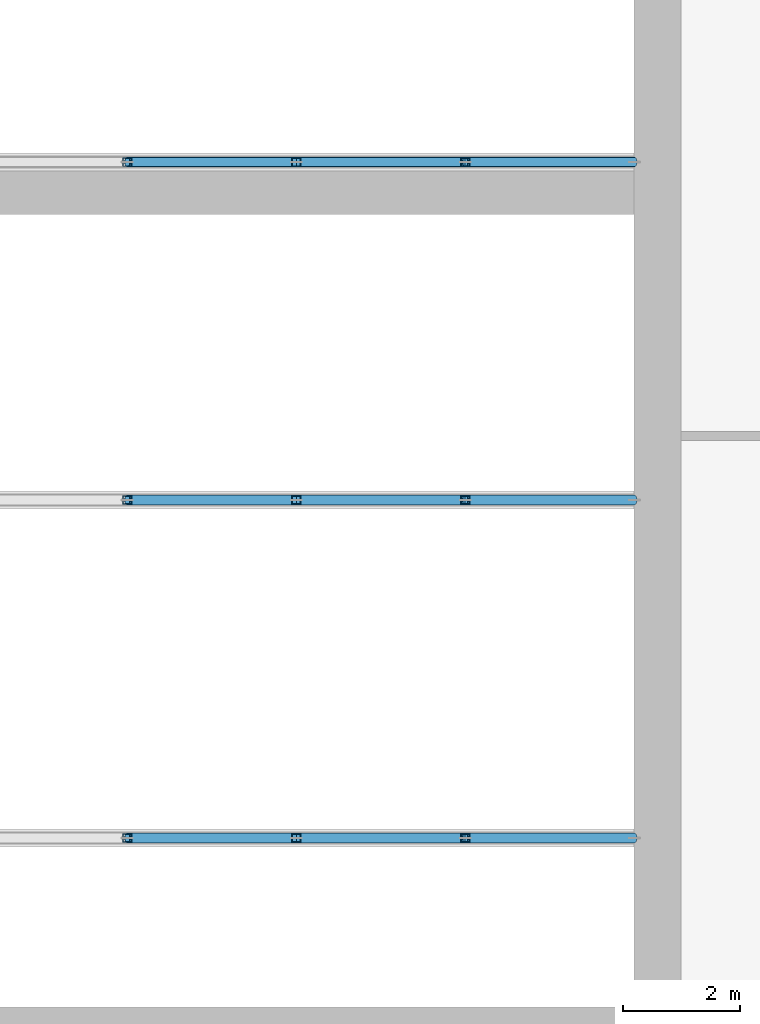
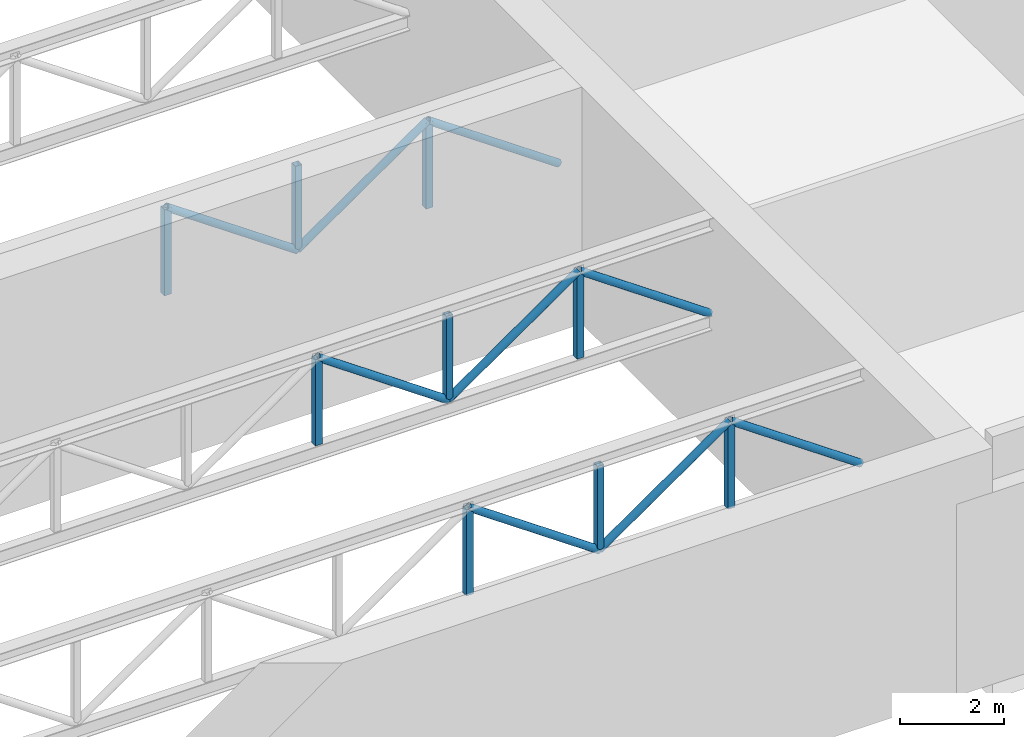
# One storey, part 5 of 35: 18 members.
"""IFC4 building model written with IfcOpenShell, lengths in metres."""

from ifc_helpers import new_model, si_unit, direction, frame, origin, origin_2d, place, context, subcontext, project, spatial, hollow_rectangle, hollow_circle, extrude, material, material_profile, profile_set, type_object, element, save


model = new_model("IFC4")

# Units and contexts
model_context = context("Model", 3, precision=1e-05, world=origin(), true_north=direction((0.0, 1.0)))
body_context = subcontext(model_context, "Body", "Model", "MODEL_VIEW")
ifc_project = project(units=[si_unit("LENGTHUNIT", "METRE"), si_unit("AREAUNIT", "SQUARE_METRE"), si_unit("VOLUMEUNIT", "CUBIC_METRE"), si_unit("PLANEANGLEUNIT", "RADIAN"), si_unit("MASSUNIT", "GRAM", prefix="KILO")], contexts=[model_context])

# Site, building, storey
site_placement = place(None, origin())
site = spatial("IfcSite", under=ifc_project, at=site_placement, CompositionType="ELEMENT")
building_placement = place(site_placement, origin())
building = spatial("IfcBuilding", under=site, at=building_placement, Name="Kiln Ring Residences", CompositionType="ELEMENT")
storey_placement = place(building_placement, frame((0.0, 0.0, 20.89990234375)))
storey = spatial("IfcBuildingStorey", under=building, at=storey_placement, Name="L04", CompositionType="ELEMENT", Elevation=20.89990234375)

# Members
ifc_material_1 = material(Name="Structural steel ASTM A500 Gr. C", Category="steel")
ifc_material_profile_1 = material_profile(ifc_material_1, hollow_circle(Radius=0.084228515625, WallThickness=0.007080078125, at=origin_2d()), Name="HSS168x7.1")
ifc_profile_set_1 = profile_set([ifc_material_profile_1], Name="Structural steel ASTM A500 Gr. C")
member_type_1 = type_object("IfcMemberType", Name="Hall roof truss diagonal HSS168x7.1", PredefinedType="BRACE", material=ifc_profile_set_1)
member_1_placement = place(storey_placement, frame((2.89990234375, -156.300048828125, 5.2421875), z_axis=(0.820958725483, 0.0, -0.570987540192), x_axis=(0.0, 1.0, 0.0)))
element("IfcMember", 1, at=member_1_placement, inside=storey, type_object=member_type_1, Name="Hall truss 1 diagonal 6", PredefinedType="BRACE", context=body_context, shape_type="SweptSolid", body=[
    extrude(hollow_circle(Radius=0.084228515625, WallThickness=0.007080078125, at=origin_2d()), origin(), (0.0, 0.0, 1.0), 3.53271484375),
])
member_2_placement = place(storey_placement, frame((5.800048828125, -156.300048828125, 3.22509765625), z_axis=(0.820936191826, 0.0, 0.571019937436), x_axis=(0.0, 1.0, 0.0)))
element("IfcMember", 2, at=member_2_placement, inside=storey, type_object=member_type_1, Name="Hall truss 1 diagonal 7", PredefinedType="BRACE", context=body_context, shape_type="SweptSolid", body=[
    extrude(hollow_circle(Radius=0.084228515625, WallThickness=0.007080078125, at=origin_2d()), origin(), (0.0, 0.0, 1.0), 3.532470703125),
])
for number, where, z_axis, x_axis, name in (
    (3, (8.699951171875, -156.300048828125, 5.2421875), (0.820958725483, 0.0, -0.570987540192), (0.0, 1.0, 0.0), "Hall truss 1 diagonal 8"),
    (4, (2.89990234375, -150.5, 5.2421875), (0.820958725483, 0.0, -0.570987540192), (0.0, 1.0, 0.0), "Hall truss 2 diagonal 6"),
):
    element("IfcMember", number, at=place(storey_placement, frame(where, z_axis=z_axis, x_axis=x_axis)), inside=storey, type_object=member_type_1, Name=name, PredefinedType="BRACE", context=body_context, shape_type="SweptSolid", body=[
        extrude(hollow_circle(Radius=0.084228515625, WallThickness=0.007080078125, at=origin_2d()), origin(), (0.0, 0.0, 1.0), 3.53271484375),
    ])
member_3_placement = place(storey_placement, frame((5.800048828125, -150.5, 3.22509765625), z_axis=(0.820936191826, 0.0, 0.571019937436), x_axis=(0.0, 1.0, 0.0)))
element("IfcMember", 5, at=member_3_placement, inside=storey, type_object=member_type_1, Name="Hall truss 2 diagonal 7", PredefinedType="BRACE", context=body_context, shape_type="SweptSolid", body=[
    extrude(hollow_circle(Radius=0.084228515625, WallThickness=0.007080078125, at=origin_2d()), origin(), (0.0, 0.0, 1.0), 3.532470703125),
])
for number, where, z_axis, x_axis, name in (
    (6, (8.699951171875, -150.5, 5.2421875), (0.820958725483, 0.0, -0.570987540192), (0.0, 1.0, 0.0), "Hall truss 2 diagonal 8"),
    (7, (2.89990234375, -144.699951171875, 5.2421875), (0.820958725483, 0.0, -0.570987540192), (0.0, 1.0, 0.0), "Hall truss 3 diagonal 6"),
):
    element("IfcMember", number, at=place(storey_placement, frame(where, z_axis=z_axis, x_axis=x_axis)), inside=storey, type_object=member_type_1, Name=name, PredefinedType="BRACE", context=body_context, shape_type="SweptSolid", body=[
        extrude(hollow_circle(Radius=0.084228515625, WallThickness=0.007080078125, at=origin_2d()), origin(), (0.0, 0.0, 1.0), 3.53271484375),
    ])
member_4_placement = place(storey_placement, frame((5.800048828125, -144.699951171875, 3.22509765625), z_axis=(0.820936191826, 0.0, 0.571019937436), x_axis=(0.0, 1.0, 0.0)))
element("IfcMember", 8, at=member_4_placement, inside=storey, type_object=member_type_1, Name="Hall truss 3 diagonal 7", PredefinedType="BRACE", context=body_context, shape_type="SweptSolid", body=[
    extrude(hollow_circle(Radius=0.084228515625, WallThickness=0.007080078125, at=origin_2d()), origin(), (0.0, 0.0, 1.0), 3.532470703125),
])
member_5_placement = place(storey_placement, frame((8.699951171875, -144.699951171875, 5.2421875), z_axis=(0.820958725483, 0.0, -0.570987540192), x_axis=(0.0, 1.0, 0.0)))
element("IfcMember", 9, at=member_5_placement, inside=storey, type_object=member_type_1, Name="Hall truss 3 diagonal 8", PredefinedType="BRACE", context=body_context, shape_type="SweptSolid", body=[
    extrude(hollow_circle(Radius=0.084228515625, WallThickness=0.007080078125, at=origin_2d()), origin(), (0.0, 0.0, 1.0), 3.53271484375),
])
ifc_material_2 = material(Name="Structural steel ASTM A500 Gr. C", Category="steel")
ifc_material_profile_2 = material_profile(ifc_material_2, hollow_rectangle(XDim=0.152099609375, YDim=0.152099609375, WallThickness=0.0078125, at=origin_2d()), Name="HSS152x152x7.9")
ifc_profile_set_2 = profile_set([ifc_material_profile_2], Name="Structural steel ASTM A500 Gr. C")
member_type_2 = type_object("IfcMemberType", Name="Hall roof truss post HSS152x152x7.9", PredefinedType="POST", material=ifc_profile_set_2)
for number, where, z_axis, x_axis, name in (
    (10, (2.89990234375, -156.300048828125, 3.22509765625), (0.0, 0.0, 1.0), (1.0, 0.0, 0.0), "Hall truss 1 post 5"),
    (11, (5.800048828125, -156.300048828125, 3.22509765625), (0.0, 0.0, 1.0), (1.0, 0.0, 0.0), "Hall truss 1 post 6"),
    (12, (8.699951171875, -156.300048828125, 3.22509765625), (0.0, 0.0, 1.0), (1.0, 0.0, 0.0), "Hall truss 1 post 7"),
    (13, (2.89990234375, -150.5, 3.22509765625), (0.0, 0.0, 1.0), (1.0, 0.0, 0.0), "Hall truss 2 post 5"),
    (14, (5.800048828125, -150.5, 3.22509765625), (0.0, 0.0, 1.0), (1.0, 0.0, 0.0), "Hall truss 2 post 6"),
    (15, (8.699951171875, -150.5, 3.22509765625), (0.0, 0.0, 1.0), (1.0, 0.0, 0.0), "Hall truss 2 post 7"),
    (16, (2.89990234375, -144.699951171875, 3.22509765625), (0.0, 0.0, 1.0), (1.0, 0.0, 0.0), "Hall truss 3 post 5"),
    (17, (5.800048828125, -144.699951171875, 3.22509765625), (0.0, 0.0, 1.0), (1.0, 0.0, 0.0), "Hall truss 3 post 6"),
    (18, (8.699951171875, -144.699951171875, 3.22509765625), (0.0, 0.0, 1.0), (1.0, 0.0, 0.0), "Hall truss 3 post 7"),
):
    element("IfcMember", number, at=place(storey_placement, frame(where, z_axis=z_axis, x_axis=x_axis)), inside=storey, type_object=member_type_2, Name=name, PredefinedType="POST", context=body_context, shape_type="SweptSolid", body=[
        extrude(hollow_rectangle(XDim=0.152099609375, YDim=0.152099609375, WallThickness=0.0078125, at=origin_2d()), origin(), (0.0, 0.0, 1.0), 2.01708984375),
    ])

save(model, "model.ifc")
